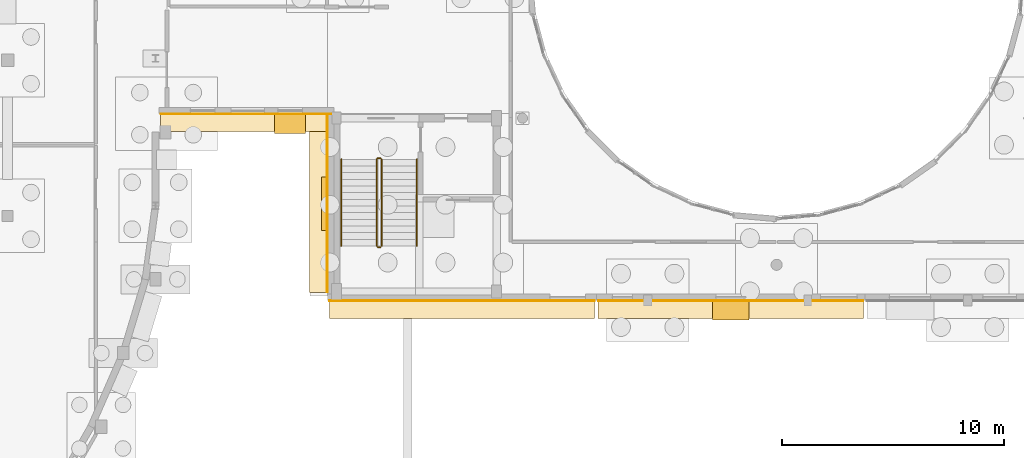
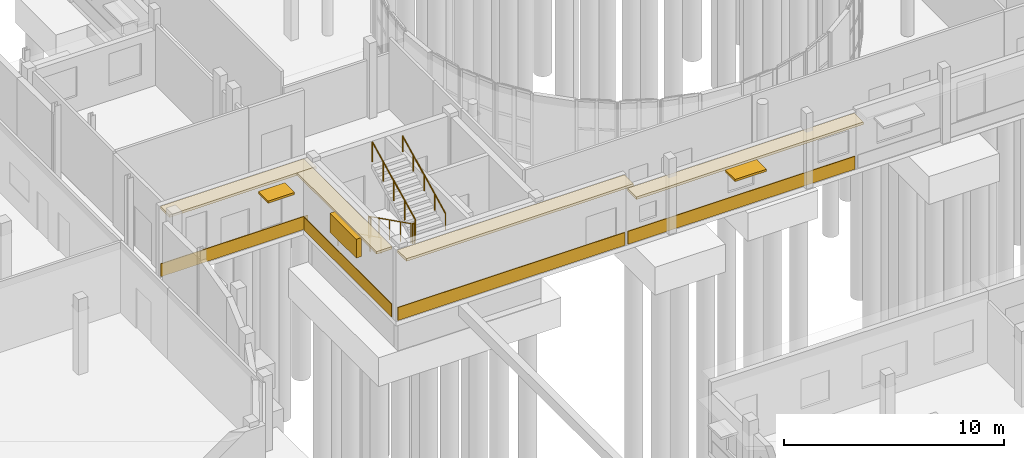
# One storey, part 81 of 93: 8 coverings, 6 railings, 3 shading devices.
"""IFC4 building model written with IfcOpenShell, lengths in metres."""

from ifc_helpers import new_model, si_unit, direction, frame, origin, origin_2d, place, context, subcontext, project, spatial, rectangle, circle, extrude, material, layer, layer_set, type_object, element, save


model = new_model("IFC4")

# Units and contexts
model_context = context("Model", 3, precision=1e-05, world=origin(), true_north=direction((0.0, 1.0)))
body_context = subcontext(model_context, "Body", "Model", "MODEL_VIEW")
ifc_project = project(units=[si_unit("LENGTHUNIT", "METRE"), si_unit("AREAUNIT", "SQUARE_METRE"), si_unit("VOLUMEUNIT", "CUBIC_METRE"), si_unit("PLANEANGLEUNIT", "RADIAN"), si_unit("MASSUNIT", "GRAM", prefix="KILO")], contexts=[model_context])

# Site, building, storey
site_placement = place(None, origin())
site = spatial("IfcSite", under=ifc_project, at=site_placement, CompositionType="ELEMENT")
building_placement = place(site_placement, origin())
building = spatial("IfcBuilding", under=site, at=building_placement, Name="Kelanivale Promenade Academy", CompositionType="ELEMENT")
storey_placement = place(building_placement, origin())
storey = spatial("IfcBuildingStorey", under=building, at=storey_placement, Name="L00", CompositionType="ELEMENT", Elevation=0.0)

# Coverings
ifc_material_1 = material(Name="Warm ivory Art Deco stucco frieze band 40 mm", Category="masonry")
ifc_layer_1 = layer(ifc_material_1, 0.0400390625)
ifc_layer_set_1 = layer_set([ifc_layer_1], Name="Warm ivory Art Deco stucco frieze band 40 mm")
covering_type = type_object("IfcCoveringType", Name="COV-CLD2 Warm ivory Art Deco stucco frieze ba", PredefinedType="CLADDING", material=ifc_layer_set_1)
covering_1_placement = place(storey_placement, frame((39.5400390625, 50.0, 3.81982421875), z_axis=(0.0, 0.0, 1.0), x_axis=(1.0, 0.0, 0.0)))
element("IfcCovering", 1, at=covering_1_placement, inside=storey, type_object=covering_type, Name="Art Deco projecting 820 mm streamline sunshade eyebrow ledge", PredefinedType="CLADDING", context=body_context, shape_type="SweptSolid", body=[
    extrude(rectangle(XDim=7.719970703125, YDim=0.820068359375, at=origin_2d()), origin(), (0.0, 0.0, 1.0), 0.139892578125),
])
covering_2_placement = place(storey_placement, frame((39.5400390625, 50.385009765625, 0.06005859375), z_axis=(0.0, 0.0, 1.0), x_axis=(1.0, 0.0, 0.0)))
element("IfcCovering", 2, at=covering_2_placement, inside=storey, type_object=covering_type, Name="Art Deco ivory stucco sill frieze band", PredefinedType="CLADDING", context=body_context, shape_type="SweptSolid", body=[
    extrude(rectangle(XDim=7.719970703125, YDim=0.0400390625, at=origin_2d()), origin(), (0.0, 0.0, 1.0), 0.719970703125),
])
covering_3_placement = place(storey_placement, frame((42.800048828125, 46.340087890625, 3.81982421875), z_axis=(0.0, 0.0, 1.0), x_axis=(0.0, -1.0, 0.0)))
element("IfcCovering", 3, at=covering_3_placement, inside=storey, type_object=covering_type, Name="Art Deco projecting 820 mm streamline sunshade eyebrow ledge", PredefinedType="CLADDING", context=body_context, shape_type="SweptSolid", body=[
    extrude(rectangle(XDim=7.9599609375, YDim=0.820068359375, at=origin_2d()), origin(), (0.0, 0.0, 1.0), 0.139892578125),
])
covering_4_placement = place(storey_placement, frame((43.18505859375, 46.340087890625, 0.06005859375), z_axis=(0.0, 0.0, 1.0), x_axis=(0.0, -1.0, 0.0)))
element("IfcCovering", 4, at=covering_4_placement, inside=storey, type_object=covering_type, Name="Art Deco ivory stucco sill frieze band", PredefinedType="CLADDING", context=body_context, shape_type="SweptSolid", body=[
    extrude(rectangle(XDim=7.9599609375, YDim=0.0400390625, at=origin_2d()), origin(), (0.0, 0.0, 1.0), 0.719970703125),
])
covering_5_placement = place(storey_placement, frame((49.24609375, 41.60009765625, 3.81982421875), z_axis=(0.0, 0.0, 1.0), x_axis=(1.0, 0.0, 0.0)))
element("IfcCovering", 5, at=covering_5_placement, inside=storey, type_object=covering_type, Name="Art Deco projecting 820 mm streamline sunshade eyebrow ledge", PredefinedType="CLADDING", context=body_context, shape_type="SweptSolid", body=[
    extrude(rectangle(XDim=11.93310546875, YDim=0.820068359375, at=origin_2d()), origin(), (0.0, 0.0, 1.0), 0.139892578125),
])
covering_6_placement = place(storey_placement, frame((49.24609375, 41.985107421875, 0.06005859375), z_axis=(0.0, 0.0, 1.0), x_axis=(1.0, 0.0, 0.0)))
element("IfcCovering", 6, at=covering_6_placement, inside=storey, type_object=covering_type, Name="Art Deco ivory stucco sill frieze band", PredefinedType="CLADDING", context=body_context, shape_type="SweptSolid", body=[
    extrude(rectangle(XDim=11.93310546875, YDim=0.0400390625, at=origin_2d()), origin(), (0.0, 0.0, 1.0), 0.719970703125),
])
covering_7_placement = place(storey_placement, frame((61.340087890625, 41.60009765625, 3.01513671875), z_axis=(0.0, 0.0, 1.0), x_axis=(1.0, 0.0, 0.0)))
element("IfcCovering", 7, at=covering_7_placement, inside=storey, type_object=covering_type, Name="Art Deco projecting 820 mm streamline sunshade eyebrow ledge", PredefinedType="CLADDING", context=body_context, shape_type="SweptSolid", body=[
    extrude(rectangle(XDim=11.93408203125, YDim=0.820068359375, at=origin_2d()), origin(), (0.0, 0.0, 1.0), 0.139892578125),
])
covering_8_placement = place(storey_placement, frame((61.340087890625, 41.985107421875, 0.06005859375), z_axis=(0.0, 0.0, 1.0), x_axis=(1.0, 0.0, 0.0)))
element("IfcCovering", 8, at=covering_8_placement, inside=storey, type_object=covering_type, Name="Art Deco ivory stucco sill frieze band", PredefinedType="CLADDING", context=body_context, shape_type="SweptSolid", body=[
    extrude(rectangle(XDim=11.93408203125, YDim=0.0400390625, at=origin_2d()), origin(), (0.0, 0.0, 1.0), 0.719970703125),
])

# Railings
ifc_material_2 = material(Name="Brushed stainless steel grade 316", Category="steel")
railing_type_1 = type_object("IfcRailingType", Name="GR-01 Stair Guard 1100mm", PredefinedType="BALUSTRADE", material=ifc_material_2)
railing_1_placement = place(storey_placement, frame((45.405029296875, 48.344970703125, 0.14990234375)))
element("IfcRailing", 9, at=railing_1_placement, inside=storey, type_object=railing_type_1, Name="L00 ST-06 stair guard 1", PredefinedType="BALUSTRADE", context=body_context, shape_type="SweptSolid", body=[
    extrude(circle(Radius=0.02392578125, at=origin_2d()), frame((0.0, 0.0, 1.09619140625), z_axis=(0.0, -0.894404793364, 0.447258387967), x_axis=(1.0, 0.0, 0.0)), (0.0, 0.0, 1.0), 4.3603515625),
    extrude(circle(Radius=0.02099609375, at=origin_2d()), origin(), (0.0, 0.0, 1.0), 1.072021484375),
    extrude(circle(Radius=0.02099609375, at=origin_2d()), frame((0.0, -0.97509765625, 0.487548828125)), (0.0, 0.0, 1.0), 1.072021484375),
    extrude(circle(Radius=0.02099609375, at=origin_2d()), frame((0.0, -1.949951171875, 0.97509765625)), (0.0, 0.0, 1.0), 1.072021484375),
    extrude(circle(Radius=0.02099609375, at=origin_2d()), frame((0.0, -2.9248046875, 1.462646484375)), (0.0, 0.0, 1.0), 1.072021484375),
    extrude(circle(Radius=0.02099609375, at=origin_2d()), frame((0.0, -3.89990234375, 1.9501953125)), (0.0, 0.0, 1.0), 1.072021484375),
])
railing_2_placement = place(storey_placement, frame((45.455078125, 44.39501953125, 2.10009765625)))
element("IfcRailing", 10, at=railing_2_placement, inside=storey, type_object=railing_type_1, Name="L00 ST-06 stair guard 2", PredefinedType="BALUSTRADE", context=body_context, shape_type="SweptSolid", body=[
    extrude(circle(Radius=0.02392578125, at=origin_2d()), frame((0.0, 0.0, 1.09619140625), z_axis=(1.0, 0.0, 0.0), x_axis=(0.0, 1.0, 0.0)), (0.0, 0.0, 1.0), 0.119873046875),
    extrude(circle(Radius=0.02099609375, at=origin_2d()), origin(), (0.0, 0.0, 1.0), 1.072021484375),
    extrude(circle(Radius=0.02099609375, at=origin_2d()), frame((0.119873046875, 0.0, 0.0)), (0.0, 0.0, 1.0), 1.072021484375),
])
railing_3_placement = place(storey_placement, frame((45.625, 44.445068359375, 2.25)))
element("IfcRailing", 11, at=railing_3_placement, inside=storey, type_object=railing_type_1, Name="L00 ST-06 stair guard 3", PredefinedType="BALUSTRADE", context=body_context, shape_type="SweptSolid", body=[
    extrude(circle(Radius=0.02392578125, at=origin_2d()), frame((0.0, 0.0, 1.09619140625), z_axis=(0.0, 0.894427191, 0.4472135955), x_axis=(-1.0, 0.0, 0.0)), (0.0, 0.0, 1.0), 4.360107421875),
    extrude(circle(Radius=0.02099609375, at=origin_2d()), origin(), (0.0, 0.0, 1.0), 1.072021484375),
    extrude(circle(Radius=0.02099609375, at=origin_2d()), frame((0.0, 0.97509765625, 0.487548828125)), (0.0, 0.0, 1.0), 1.072021484375),
    extrude(circle(Radius=0.02099609375, at=origin_2d()), frame((0.0, 1.949951171875, 0.97509765625)), (0.0, 0.0, 1.0), 1.072021484375),
    extrude(circle(Radius=0.02099609375, at=origin_2d()), frame((0.0, 2.9248046875, 1.46240234375)), (0.0, 0.0, 1.0), 1.072021484375),
    extrude(circle(Radius=0.02099609375, at=origin_2d()), frame((0.0, 3.89990234375, 1.949951171875)), (0.0, 0.0, 1.0), 1.072021484375),
])
railing_4_placement = place(storey_placement, frame((45.455078125, 48.39501953125, 0.0)))
element("IfcRailing", 12, at=railing_4_placement, inside=storey, type_object=railing_type_1, Name="L00 ST-06 stair guard 4", PredefinedType="BALUSTRADE", context=body_context, shape_type="SweptSolid", body=[
    extrude(circle(Radius=0.02392578125, at=origin_2d()), frame((0.0, 0.0, 1.09619140625), z_axis=(1.0, 0.0, 0.0), x_axis=(0.0, 1.0, 0.0)), (0.0, 0.0, 1.0), 0.119873046875),
    extrude(circle(Radius=0.02099609375, at=origin_2d()), origin(), (0.0, 0.0, 1.0), 1.072021484375),
    extrude(circle(Radius=0.02099609375, at=origin_2d()), frame((0.119873046875, 0.0, 0.0)), (0.0, 0.0, 1.0), 1.072021484375),
])
railing_type_2 = type_object("IfcRailingType", Name="HR-01 Pitch Handrail 900mm", PredefinedType="HANDRAIL", material=ifc_material_2)
railing_5_placement = place(storey_placement, frame((43.81494140625, 48.344970703125, 0.14990234375)))
element("IfcRailing", 13, at=railing_5_placement, inside=storey, type_object=railing_type_2, Name="L00 ST-06 stair handrail 1", PredefinedType="HANDRAIL", context=body_context, shape_type="SweptSolid", body=[
    extrude(circle(Radius=0.02392578125, at=origin_2d()), frame((0.0, 0.0, 0.8759765625), z_axis=(0.0, -0.894404793364, 0.447258387967), x_axis=(1.0, 0.0, 0.0)), (0.0, 0.0, 1.0), 4.3603515625),
    extrude(circle(Radius=0.02099609375, at=origin_2d()), origin(), (0.0, 0.0, 1.0), 0.851806640625),
    extrude(circle(Radius=0.02099609375, at=origin_2d()), frame((0.0, -0.97509765625, 0.487548828125)), (0.0, 0.0, 1.0), 0.851806640625),
    extrude(circle(Radius=0.02099609375, at=origin_2d()), frame((0.0, -1.949951171875, 0.97509765625)), (0.0, 0.0, 1.0), 0.851806640625),
    extrude(circle(Radius=0.02099609375, at=origin_2d()), frame((0.0, -2.9248046875, 1.462646484375)), (0.0, 0.0, 1.0), 0.851806640625),
    extrude(circle(Radius=0.02099609375, at=origin_2d()), frame((0.0, -3.89990234375, 1.9501953125)), (0.0, 0.0, 1.0), 0.851806640625),
])
railing_6_placement = place(storey_placement, frame((47.215087890625, 44.445068359375, 2.25)))
element("IfcRailing", 14, at=railing_6_placement, inside=storey, type_object=railing_type_2, Name="L00 ST-06 stair handrail 2", PredefinedType="HANDRAIL", context=body_context, shape_type="SweptSolid", body=[
    extrude(circle(Radius=0.02392578125, at=origin_2d()), frame((0.0, 0.0, 0.8759765625), z_axis=(0.0, 0.894427191, 0.4472135955), x_axis=(-1.0, 0.0, 0.0)), (0.0, 0.0, 1.0), 4.360107421875),
    extrude(circle(Radius=0.02099609375, at=origin_2d()), origin(), (0.0, 0.0, 1.0), 0.851806640625),
    extrude(circle(Radius=0.02099609375, at=origin_2d()), frame((0.0, 0.97509765625, 0.487548828125)), (0.0, 0.0, 1.0), 0.851806640625),
    extrude(circle(Radius=0.02099609375, at=origin_2d()), frame((0.0, 1.949951171875, 0.97509765625)), (0.0, 0.0, 1.0), 0.851806640625),
    extrude(circle(Radius=0.02099609375, at=origin_2d()), frame((0.0, 2.9248046875, 1.46240234375)), (0.0, 0.0, 1.0), 0.851806640625),
    extrude(circle(Radius=0.02099609375, at=origin_2d()), frame((0.0, 3.89990234375, 1.949951171875)), (0.0, 0.0, 1.0), 0.851806640625),
])

# Shading devices
ifc_material_3 = material(Name="Precast concrete C40/50", Category="concrete")
ifc_layer_2 = layer(ifc_material_3, 0.1201171875)
ifc_layer_set_2 = layer_set([ifc_layer_2], Name="Precast concrete C40/50")
shading_device_type_1 = type_object("IfcShadingDeviceType", Name="SHD-01 Art Deco Sunshade Eyebrow 900mm", PredefinedType="USERDEFINED", material=ifc_layer_set_2)
shading_device_1_placement = place(storey_placement, frame((41.510009765625, 49.9599609375, 2.85986328125), z_axis=(0.0, 0.0, 1.0), x_axis=(1.0, 0.0, 0.0)))
element("IfcShadingDevice", 15, at=shading_device_1_placement, inside=storey, type_object=shading_device_type_1, Name="Art Deco 900 mm precast chajja window sunshade", ObjectType="SUNSHADE", PredefinedType="USERDEFINED", context=body_context, shape_type="SweptSolid", body=[
    extrude(rectangle(XDim=1.39990234375, YDim=0.89990234375, at=origin_2d()), origin(), (0.0, 0.0, 1.0), 0.1201171875),
])
shading_device_2_placement = place(storey_placement, frame((61.340087890625, 41.56005859375, 2.260009765625), z_axis=(0.0, 0.0, 1.0), x_axis=(1.0, 0.0, 0.0)))
element("IfcShadingDevice", 16, at=shading_device_2_placement, inside=storey, type_object=shading_device_type_1, Name="Art Deco 900 mm precast chajja window sunshade", ObjectType="SUNSHADE", PredefinedType="USERDEFINED", context=body_context, shape_type="SweptSolid", body=[
    extrude(rectangle(XDim=1.64990234375, YDim=0.89990234375, at=origin_2d()), origin(), (0.0, 0.0, 1.0), 0.1201171875),
])
ifc_material_4 = material(Name="Bronze anodised aluminium EN AW-6063 T6", Category="aluminium")
ifc_layer_3 = layer(ifc_material_4, 0.080078125)
ifc_layer_set_3 = layer_set([ifc_layer_3], Name="Bronze anodised aluminium EN AW-6063 T6")
shading_device_type_2 = type_object("IfcShadingDeviceType", Name="SHD-02 Perforated Brise-Soleil Screen", PredefinedType="JALOUSIE", material=ifc_layer_set_3)
shading_device_3_placement = place(storey_placement, frame((43.06494140625, 46.340087890625, 1.72509765625), z_axis=(0.0, 0.0, 1.0), x_axis=(0.0, -1.0, 0.0)))
element("IfcShadingDevice", 17, at=shading_device_3_placement, inside=storey, type_object=shading_device_type_2, Name="Perforated Art Deco brise-soleil louvre screen", PredefinedType="JALOUSIE", context=body_context, shape_type="SweptSolid", body=[
    extrude(rectangle(XDim=2.39990234375, YDim=0.280029296875, at=origin_2d()), origin(), (0.0, 0.0, 1.0), 1.050048828125),
])

save(model, "model.ifc")
